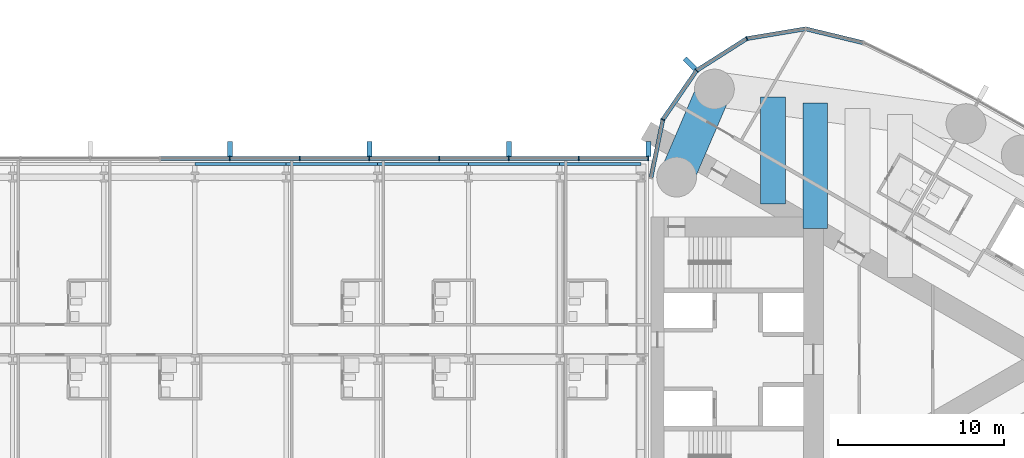
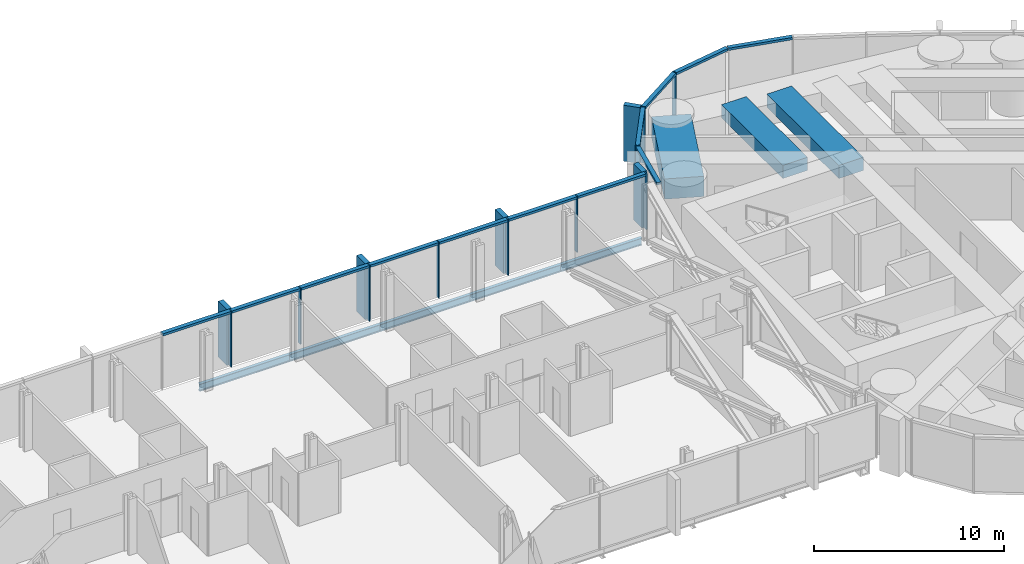
# One storey, part 10 of 22: 27 members, 8 beams, 2 elements without a shape of their own.
"""IFC4 building model written with IfcOpenShell, lengths in metres."""

import ifcopenshell
import ifcopenshell.guid

model = None  # the IFC model being written
_history = None  # IfcOwnerHistory: only IFC2X3 demands one
_inside = {}  # id of a spatial element -> (the spatial element, [elements in it])
_under = {}  # id of a project, library or spatial element -> (it, [spatial elements below it])
_declared = {}  # id of a project -> (the project, [libraries it declares])
_typed = {}  # id of a type object -> (the type object, [elements of that type])
_made_of = {}  # id of a material, layer set ... -> (it, [elements and type objects made of it])


def new_model(schema):
    """Start an empty IFC model of exactly this schema.

    Asked for "IFC4X3", IfcOpenShell would pick the latest addendum, in which some entities
    have other attributes; the version numbers below select the first issue.
    IFC2X3 requires an IfcOwnerHistory on every rooted entity: one is made here for all.
    """
    global model, _history
    if schema == "IFC4X3":
        model = ifcopenshell.file(schema_version=(4, 3, 0, 0))
    else:
        model = ifcopenshell.file(schema=schema)
    _inside.clear()
    _under.clear()
    _declared.clear()
    _typed.clear()
    _made_of.clear()
    _history = None
    if model.schema == "IFC2X3":
        org = make("IfcOrganization", Name="unknown")
        user = make(
            "IfcPersonAndOrganization",
            ThePerson=make("IfcPerson", FamilyName="unknown"),
            TheOrganization=org,
        )
        app = make(
            "IfcApplication",
            ApplicationDeveloper=org,
            Version="unknown",
            ApplicationFullName="unknown",
            ApplicationIdentifier="unknown",
        )
        _history = make(
            "IfcOwnerHistory",
            OwningUser=user,
            OwningApplication=app,
            ChangeAction="ADDED",
            CreationDate=0,
        )
    return model


def make(cls, **values):
    """One entity of the class cls with the attributes given. An attribute that is None is left unset."""
    return model.create_entity(
        cls, **{name: value for name, value in values.items() if value is not None}
    )


def rooted(cls, **values):
    """An entity with a GlobalId (a new one), such as an element, a storey or a relation."""
    return make(cls, GlobalId=ifcopenshell.guid.new(), OwnerHistory=_history, **values)


def si_unit(unit_type, name, prefix=None):
    """IfcSIUnit, for example si_unit("LENGTHUNIT", "METRE", prefix="MILLI")."""
    return make("IfcSIUnit", UnitType=unit_type, Prefix=prefix, Name=name)


def assignment(units):
    """IfcUnitAssignment: the units of a project."""
    return None if units is None else make("IfcUnitAssignment", Units=units)


def point(xyz):
    """IfcCartesianPoint."""
    return None if xyz is None else make("IfcCartesianPoint", Coordinates=xyz)


def direction(xyz):
    """IfcDirection."""
    return None if xyz is None else make("IfcDirection", DirectionRatios=xyz)


def frame(location, z_axis=None, x_axis=None):
    """IfcAxis2Placement3D, a coordinate frame: its origin and axes. An axis left out is left unset."""
    return make(
        "IfcAxis2Placement3D",
        Location=point(location),
        Axis=direction(z_axis),
        RefDirection=direction(x_axis),
    )


def frame_2d(location, x_axis=None):
    """IfcAxis2Placement2D, a coordinate frame in the plane: its origin and x axis."""
    return make(
        "IfcAxis2Placement2D", Location=point(location), RefDirection=direction(x_axis)
    )


def origin():
    """The frame at (0, 0, 0) with its axes left unset."""
    return frame((0.0, 0.0, 0.0))


def origin_2d():
    """The frame at (0, 0) in the plane with its x axis left unset."""
    return frame_2d((0.0, 0.0))


def place(relative_to, where):
    """IfcLocalPlacement: puts the frame where relative to a parent placement (None: the world)."""
    return make(
        "IfcLocalPlacement", PlacementRelTo=relative_to, RelativePlacement=where
    )


def context(
    kind, dimensions, precision=None, world=None, true_north=None, identifier=None
):
    """IfcGeometricRepresentationContext, for example the 3D "Model" context."""
    return make(
        "IfcGeometricRepresentationContext",
        ContextIdentifier=identifier,
        ContextType=kind,
        CoordinateSpaceDimension=dimensions,
        Precision=precision,
        WorldCoordinateSystem=world,
        TrueNorth=true_north,
    )


def subcontext(parent, identifier, kind, view, scale=None):
    """IfcGeometricRepresentationSubContext, for example "Body" below "Model"."""
    return make(
        "IfcGeometricRepresentationSubContext",
        ContextIdentifier=identifier,
        ContextType=kind,
        ParentContext=parent,
        TargetScale=scale,
        TargetView=view,
    )


def project(units=None, contexts=None):
    """IfcProject with its units and contexts."""
    return rooted(
        "IfcProject",
        Name="project",
        RepresentationContexts=contexts,
        UnitsInContext=assignment(units),
    )


def spatial(cls, under=None, at=None, **own):
    """A site, building, storey or space (cls), placed at a placement, below another one or the project."""
    s = rooted(cls, ObjectPlacement=at, **own)
    if under is not None:
        _under.setdefault(under.id(), (under, []))[1].append(s)
    return s


def profile(cls, at=None, kind="AREA", **sizes):
    """A parametric profile (cls). Its sizes go by their IFC names, for example OverallWidth=200.0."""
    return make(cls, ProfileType=kind, Position=at, **sizes)


def rectangle(**sizes):
    """IfcRectangleProfileDef."""
    return profile("IfcRectangleProfileDef", **sizes)


def i_section(**sizes):
    """IfcIShapeProfileDef."""
    return profile("IfcIShapeProfileDef", **sizes)


def extrude(swept, where, along, depth):
    """IfcExtrudedAreaSolid: the profile swept, set in the frame where, extruded along a direction by depth."""
    return make(
        "IfcExtrudedAreaSolid",
        SweptArea=swept,
        Position=where,
        ExtrudedDirection=direction(along),
        Depth=depth,
    )


def shape(context_of_items, identifier, shape_type, items):
    """IfcShapeRepresentation: the items that make up one representation, for example the "Body"."""
    return make(
        "IfcShapeRepresentation",
        ContextOfItems=context_of_items,
        RepresentationIdentifier=identifier,
        RepresentationType=shape_type,
        Items=items,
    )


def material(Name=None, Category=None):
    """IfcMaterial."""
    return make("IfcMaterial", Name=Name, Category=Category)


def material_profile(
    of_material, cross_section, Name=None, Category=None, Priority=None
):
    """IfcMaterialProfile: a cross section and its material."""
    return make(
        "IfcMaterialProfile",
        Name=Name,
        Material=of_material,
        Profile=cross_section,
        Priority=Priority,
        Category=Category,
    )


def profile_set(profiles, Name=None, composite=None):
    """IfcMaterialProfileSet."""
    return make(
        "IfcMaterialProfileSet",
        Name=Name,
        MaterialProfiles=profiles,
        CompositeProfile=composite,
    )


def made_of(thing, what):
    """Note that an element or type object is made of a material, layer set ...; save() writes the relation."""
    if what is not None:
        _made_of.setdefault(what.id(), (what, []))[1].append(thing)
    return thing


def type_object(cls, material=None, **own):
    """A type object (cls), such as IfcWallType, which elements share."""
    return made_of(rooted(cls, **own), material)


def element(
    cls,
    number,
    at=None,
    inside=None,
    cuts=None,
    type_object=None,
    material=None,
    context=None,
    identifier="Body",
    shape_type=None,
    held_by="IfcProductDefinitionShape",
    body=None,
    shapes=None,
    **own,
):
    """One element of the class cls, such as IfcWall. Its Tag is "e" and its number.

    at: its placement. inside: the storey or other place that contains it. cuts: it is an
    opening in that element (IfcRelVoidsElement). A single representation is given by context,
    identifier, shape_type and body (its items); several are given by shapes. held_by: the class
    of the entity that holds the representations. save() writes the other relations.
    """
    e = rooted(cls, Tag="e%d" % number, ObjectPlacement=at, **own)
    if body is not None:
        shapes = [shape(context, identifier, shape_type, body)]
    if shapes is not None:
        e.Representation = make(held_by, Representations=shapes)
    if inside is not None:
        _inside.setdefault(inside.id(), (inside, []))[1].append(e)
    if cuts is not None:
        rooted(
            "IfcRelVoidsElement", RelatingBuildingElement=cuts, RelatedOpeningElement=e
        )
    if type_object is not None:
        _typed.setdefault(type_object.id(), (type_object, []))[1].append(e)
    return made_of(e, material)


def aggregate(whole, parts):
    """IfcRelAggregates: a whole, such as a stair, and the parts it consists of."""
    return rooted("IfcRelAggregates", RelatingObject=whole, RelatedObjects=parts)


def save(model, path):
    """Write the relations noted so far, then the file.

    IfcRelAggregates (storeys below a building ...), IfcRelContainedInSpatialStructure (elements
    in a storey), IfcRelDefinesByType, IfcRelAssociatesMaterial and IfcRelDeclares: one each for
    every whole, place, type object, material and project.
    """
    for whole, parts in _under.values():
        aggregate(whole, parts)
    for where, things in _inside.values():
        rooted(
            "IfcRelContainedInSpatialStructure",
            RelatedElements=things,
            RelatingStructure=where,
        )
    for kind, things in _typed.values():
        rooted("IfcRelDefinesByType", RelatedObjects=things, RelatingType=kind)
    for what, things in _made_of.values():
        rooted("IfcRelAssociatesMaterial", RelatedObjects=things, RelatingMaterial=what)
    for by, libraries in _declared.values():
        rooted("IfcRelDeclares", RelatingContext=by, RelatedDefinitions=libraries)
    model.write(path)


model = new_model("IFC4")

# Units and contexts
model_context = context("Model", 3, precision=1e-05, world=origin(), true_north=direction((0.0, 1.0)))
body_context = subcontext(model_context, "Body", "Model", "MODEL_VIEW")
ifc_project = project(units=[si_unit("LENGTHUNIT", "METRE"), si_unit("AREAUNIT", "SQUARE_METRE"), si_unit("VOLUMEUNIT", "CUBIC_METRE"), si_unit("PLANEANGLEUNIT", "RADIAN"), si_unit("MASSUNIT", "GRAM", prefix="KILO")], contexts=[model_context])

# Site, building, storey
site_placement = place(None, origin())
site = spatial("IfcSite", under=ifc_project, at=site_placement, CompositionType="ELEMENT")
building_placement = place(site_placement, origin())
building = spatial("IfcBuilding", under=site, at=building_placement, Name="Lancet Gate Hotel", CompositionType="ELEMENT")
storey_placement = place(building_placement, frame((0.0, 0.0, 229.699951171875)))
storey = spatial("IfcBuildingStorey", under=building, at=storey_placement, Name="L61", CompositionType="ELEMENT", Elevation=229.699951171875)

# Curtain wall, members
ifc_material_1 = material(Name="Aluminium curtain wall", Category="aluminium")
curtain_wall_type_1 = type_object("IfcCurtainWallType", Name="Tower unitised curtain wall", PredefinedType="USERDEFINED", material=ifc_material_1)
curtain_wall_1_placement = place(storey_placement, origin())
curtain_wall_1 = element("IfcCurtainWall", 1, at=curtain_wall_1_placement, inside=storey, type_object=curtain_wall_type_1, Name="T2 L61 curtain wall 1", ObjectType="UNITISED CURTAIN WALL", PredefinedType="USERDEFINED")
ifc_material_2 = material(Name="Aluminium mullion", Category="aluminium")
ifc_material_profile_1 = material_profile(ifc_material_2, rectangle(XDim=0.06494140625, YDim=0.25, at=origin_2d()), Name="MULLION 65x250")
ifc_profile_set_1 = profile_set([ifc_material_profile_1], Name="Aluminium mullion")
member_type_1 = type_object("IfcMemberType", Name="Aluminium mullion 65x250", PredefinedType="MULLION", material=ifc_profile_set_1)
member_1_placement = place(storey_placement, frame((33.283203125, 19.353515625, 0.0), z_axis=(0.0, 0.0, 1.0), x_axis=(-0.93394321776, -0.357421412343, 0.0)))
member_1 = element("IfcMember", 2, at=member_1_placement, type_object=member_type_1, Name="T2 L61 curtain wall 1 mullion 24", PredefinedType="MULLION", context=body_context, shape_type="SweptSolid", body=[
    extrude(rectangle(XDim=0.06494140625, YDim=0.25, at=origin_2d()), origin(), (0.0, 0.0, 1.0), 3.60009765625),
])
member_2_placement = place(storey_placement, frame((30.25244140625, 17.42626953125, 0.0), z_axis=(0.0, 0.0, 1.0), x_axis=(-0.719809077627, -0.694172090886, 0.0)))
member_2 = element("IfcMember", 3, at=member_2_placement, type_object=member_type_1, Name="T2 L61 curtain wall 1 mullion 25", PredefinedType="MULLION", context=body_context, shape_type="SweptSolid", body=[
    extrude(rectangle(XDim=0.06494140625, YDim=0.25, at=origin_2d()), origin(), (0.0, 0.0, 1.0), 3.60009765625),
])
member_3_placement = place(storey_placement, frame((28.216552734375, 14.467529296875, 0.0), z_axis=(0.0, 0.0, 1.0), x_axis=(-0.391042139098, -0.920372775265, 0.0)))
member_3 = element("IfcMember", 4, at=member_3_placement, type_object=member_type_1, Name="T2 L61 curtain wall 1 mullion 26", PredefinedType="MULLION", context=body_context, shape_type="SweptSolid", body=[
    extrude(rectangle(XDim=0.06494140625, YDim=0.25, at=origin_2d()), origin(), (0.0, 0.0, 1.0), 3.60009765625),
])

ifc_material_3 = material(Name="Aluminium curtain wall", Category="aluminium")
curtain_wall_type_2 = type_object("IfcCurtainWallType", Name="Bridge block curtain wall", PredefinedType="USERDEFINED", material=ifc_material_3)
curtain_wall_2_placement = place(storey_placement, origin())
curtain_wall_2 = element("IfcCurtainWall", 5, at=curtain_wall_2_placement, inside=storey, type_object=curtain_wall_type_2, Name="Bridge block L61 curtain wall N", ObjectType="UNITISED CURTAIN WALL", PredefinedType="USERDEFINED")
member_4_placement = place(storey_placement, frame((27.35009765625, 12.1201171875, 0.0), z_axis=(0.0, 0.0, 1.0), x_axis=(-1.0, 0.0, 0.0)))
member_4 = element("IfcMember", 6, at=member_4_placement, type_object=member_type_1, Name="Bridge block L61 curtain wall N mullion 1", PredefinedType="MULLION", context=body_context, shape_type="SweptSolid", body=[
    extrude(rectangle(XDim=0.06494140625, YDim=0.25, at=origin_2d()), origin(), (0.0, 0.0, 1.0), 3.60009765625),
])
member_5_placement = place(storey_placement, frame((23.142333984375, 12.1201171875, 0.0), z_axis=(0.0, 0.0, 1.0), x_axis=(-1.0, 0.0, 0.0)))
member_5 = element("IfcMember", 7, at=member_5_placement, type_object=member_type_1, Name="Bridge block L61 curtain wall N mullion 2", PredefinedType="MULLION", context=body_context, shape_type="SweptSolid", body=[
    extrude(rectangle(XDim=0.06494140625, YDim=0.25, at=origin_2d()), origin(), (0.0, 0.0, 1.0), 3.60009765625),
])
member_6_placement = place(storey_placement, frame((18.9345703125, 12.1201171875, 0.0), z_axis=(0.0, 0.0, 1.0), x_axis=(-1.0, 0.0, 0.0)))
member_6 = element("IfcMember", 8, at=member_6_placement, type_object=member_type_1, Name="Bridge block L61 curtain wall N mullion 3", PredefinedType="MULLION", context=body_context, shape_type="SweptSolid", body=[
    extrude(rectangle(XDim=0.06494140625, YDim=0.25, at=origin_2d()), origin(), (0.0, 0.0, 1.0), 3.60009765625),
])
member_7_placement = place(storey_placement, frame((14.726806640625, 12.1201171875, 0.0), z_axis=(0.0, 0.0, 1.0), x_axis=(-1.0, 0.0, 0.0)))
member_7 = element("IfcMember", 9, at=member_7_placement, type_object=member_type_1, Name="Bridge block L61 curtain wall N mullion 4", PredefinedType="MULLION", context=body_context, shape_type="SweptSolid", body=[
    extrude(rectangle(XDim=0.06494140625, YDim=0.25, at=origin_2d()), origin(), (0.0, 0.0, 1.0), 3.60009765625),
])
member_8_placement = place(storey_placement, frame((10.519287109375, 12.1201171875, 0.0), z_axis=(0.0, 0.0, 1.0), x_axis=(-1.0, 0.0, 0.0)))
member_8 = element("IfcMember", 10, at=member_8_placement, type_object=member_type_1, Name="Bridge block L61 curtain wall N mullion 5", PredefinedType="MULLION", context=body_context, shape_type="SweptSolid", body=[
    extrude(rectangle(XDim=0.06494140625, YDim=0.25, at=origin_2d()), origin(), (0.0, 0.0, 1.0), 3.60009765625),
])
member_9_placement = place(storey_placement, frame((6.3115234375, 12.1201171875, 0.0), z_axis=(0.0, 0.0, 1.0), x_axis=(-1.0, 0.0, 0.0)))
member_9 = element("IfcMember", 11, at=member_9_placement, type_object=member_type_1, Name="Bridge block L61 curtain wall N mullion 6", PredefinedType="MULLION", context=body_context, shape_type="SweptSolid", body=[
    extrude(rectangle(XDim=0.06494140625, YDim=0.25, at=origin_2d()), origin(), (0.0, 0.0, 1.0), 3.60009765625),
])
member_10_placement = place(storey_placement, frame((2.103759765625, 12.1201171875, 0.0), z_axis=(0.0, 0.0, 1.0), x_axis=(-1.0, 0.0, 0.0)))
member_10 = element("IfcMember", 12, at=member_10_placement, type_object=member_type_1, Name="Bridge block L61 curtain wall N mullion 7", PredefinedType="MULLION", context=body_context, shape_type="SweptSolid", body=[
    extrude(rectangle(XDim=0.06494140625, YDim=0.25, at=origin_2d()), origin(), (0.0, 0.0, 1.0), 3.60009765625),
])

# Member
ifc_material_4 = material(Name="Aluminium transom", Category="aluminium")
ifc_material_profile_2 = material_profile(ifc_material_4, rectangle(XDim=0.25, YDim=0.14990234375, at=origin_2d()), Name="TRANSOM 250x150")
ifc_profile_set_2 = profile_set([ifc_material_profile_2], Name="Aluminium transom")
member_type_2 = type_object("IfcMemberType", Name="Aluminium transom 250x150", PredefinedType="USERDEFINED", material=ifc_profile_set_2)
member_11_placement = place(storey_placement, frame((40.28564453125, 19.10595703125, 3.525146484375), z_axis=(-0.972002653858, 0.234969872307, 0.0), x_axis=(-0.234969872307, -0.972002653858, 0.0)))
member_11 = element("IfcMember", 13, at=member_11_placement, type_object=member_type_2, Name="T2 L61 curtain wall 1 transom 22", ObjectType="TRANSOM", PredefinedType="USERDEFINED", context=body_context, shape_type="SweptSolid", body=[
    extrude(rectangle(XDim=0.25, YDim=0.14990234375, at=origin_2d()), origin(), (0.0, 0.0, 1.0), 3.5263671875),
])

member_12_placement = place(storey_placement, frame((36.794189453125, 19.936767578125, 3.525146484375), z_axis=(-0.986483584545, -0.163860115412, 0.0), x_axis=(0.163860115412, -0.986483584545, 0.0)))
member_12 = element("IfcMember", 14, at=member_12_placement, type_object=member_type_2, Name="T2 L61 curtain wall 1 transom 23", ObjectType="TRANSOM", PredefinedType="USERDEFINED", context=body_context, shape_type="SweptSolid", body=[
    extrude(rectangle(XDim=0.25, YDim=0.14990234375, at=origin_2d()), origin(), (0.0, 0.0, 1.0), 3.526611328125),
])

member_13_placement = place(storey_placement, frame((33.255859375, 19.336181640625, 3.525146484375), z_axis=(-0.84385811281, -0.536566384938, 0.0), x_axis=(0.536566384938, -0.84385811281, 0.0)))
member_13 = element("IfcMember", 15, at=member_13_placement, type_object=member_type_2, Name="T2 L61 curtain wall 1 transom 24", ObjectType="TRANSOM", PredefinedType="USERDEFINED", context=body_context, shape_type="SweptSolid", body=[
    extrude(rectangle(XDim=0.25, YDim=0.14990234375, at=origin_2d()), origin(), (0.0, 0.0, 1.0), 3.52685546875),
])

member_14_placement = place(storey_placement, frame((30.234130859375, 17.399658203125, 3.525146484375), z_axis=(-0.566813768052, -0.82384595183, 0.0), x_axis=(0.82384595183, -0.566813768052, 0.0)))
member_14 = element("IfcMember", 16, at=member_14_placement, type_object=member_type_2, Name="T2 L61 curtain wall 1 transom 25", ObjectType="TRANSOM", PredefinedType="USERDEFINED", context=body_context, shape_type="SweptSolid", body=[
    extrude(rectangle(XDim=0.25, YDim=0.14990234375, at=origin_2d()), origin(), (0.0, 0.0, 1.0), 3.52685546875),
])

member_15_placement = place(storey_placement, frame((28.210205078125, 14.435546875, 3.525146484375), z_axis=(-0.19952323725, -0.979893095086, 0.0), x_axis=(0.979893095086, -0.19952323725, 0.0)))
member_15 = element("IfcMember", 17, at=member_15_placement, type_object=member_type_2, Name="T2 L61 curtain wall 1 transom 26", ObjectType="TRANSOM", PredefinedType="USERDEFINED", context=body_context, shape_type="SweptSolid", body=[
    extrude(rectangle(XDim=0.25, YDim=0.14990234375, at=origin_2d()), origin(), (0.0, 0.0, 1.0), 3.5263671875),
])

member_16_placement = place(storey_placement, frame((27.3173828125, 12.1201171875, 3.525146484375), z_axis=(-1.0, 0.0, 0.0), x_axis=(0.0, -1.0, 0.0)))
member_16 = element("IfcMember", 18, at=member_16_placement, type_object=member_type_2, Name="Bridge block L61 curtain wall N transom 1", ObjectType="TRANSOM", PredefinedType="USERDEFINED", context=body_context, shape_type="SweptSolid", body=[
    extrude(rectangle(XDim=0.25, YDim=0.14990234375, at=origin_2d()), origin(), (0.0, 0.0, 1.0), 4.142578125),
])

member_17_placement = place(storey_placement, frame((23.10986328125, 12.1201171875, 3.525146484375), z_axis=(-1.0, 0.0, 0.0), x_axis=(0.0, -1.0, 0.0)))
member_17 = element("IfcMember", 19, at=member_17_placement, type_object=member_type_2, Name="Bridge block L61 curtain wall N transom 2", ObjectType="TRANSOM", PredefinedType="USERDEFINED", context=body_context, shape_type="SweptSolid", body=[
    extrude(rectangle(XDim=0.25, YDim=0.14990234375, at=origin_2d()), origin(), (0.0, 0.0, 1.0), 4.142822265625),
])

member_18_placement = place(storey_placement, frame((18.902099609375, 12.1201171875, 3.525146484375), z_axis=(-1.0, 0.0, 0.0), x_axis=(0.0, -1.0, 0.0)))
member_18 = element("IfcMember", 20, at=member_18_placement, type_object=member_type_2, Name="Bridge block L61 curtain wall N transom 3", ObjectType="TRANSOM", PredefinedType="USERDEFINED", context=body_context, shape_type="SweptSolid", body=[
    extrude(rectangle(XDim=0.25, YDim=0.14990234375, at=origin_2d()), origin(), (0.0, 0.0, 1.0), 4.142578125),
])

member_19_placement = place(storey_placement, frame((14.6943359375, 12.1201171875, 3.525146484375), z_axis=(-1.0, 0.0, 0.0), x_axis=(0.0, -1.0, 0.0)))
member_19 = element("IfcMember", 21, at=member_19_placement, type_object=member_type_2, Name="Bridge block L61 curtain wall N transom 4", ObjectType="TRANSOM", PredefinedType="USERDEFINED", context=body_context, shape_type="SweptSolid", body=[
    extrude(rectangle(XDim=0.25, YDim=0.14990234375, at=origin_2d()), origin(), (0.0, 0.0, 1.0), 4.142578125),
])

member_20_placement = place(storey_placement, frame((10.48681640625, 12.1201171875, 3.525146484375), z_axis=(-1.0, 0.0, 0.0), x_axis=(0.0, -1.0, 0.0)))
member_20 = element("IfcMember", 22, at=member_20_placement, type_object=member_type_2, Name="Bridge block L61 curtain wall N transom 5", ObjectType="TRANSOM", PredefinedType="USERDEFINED", context=body_context, shape_type="SweptSolid", body=[
    extrude(rectangle(XDim=0.25, YDim=0.14990234375, at=origin_2d()), origin(), (0.0, 0.0, 1.0), 4.142822265625),
])

member_21_placement = place(storey_placement, frame((6.279052734375, 12.1201171875, 3.525146484375), z_axis=(-1.0, 0.0, 0.0), x_axis=(0.0, -1.0, 0.0)))
member_21 = element("IfcMember", 23, at=member_21_placement, type_object=member_type_2, Name="Bridge block L61 curtain wall N transom 6", ObjectType="TRANSOM", PredefinedType="USERDEFINED", context=body_context, shape_type="SweptSolid", body=[
    extrude(rectangle(XDim=0.25, YDim=0.14990234375, at=origin_2d()), origin(), (0.0, 0.0, 1.0), 4.142822265625),
])

member_22_placement = place(storey_placement, frame((2.0712890625, 12.1201171875, 3.525146484375), z_axis=(-1.0, 0.0, 0.0), x_axis=(0.0, -1.0, 0.0)))
member_22 = element("IfcMember", 24, at=member_22_placement, type_object=member_type_2, Name="Bridge block L61 curtain wall N transom 7", ObjectType="TRANSOM", PredefinedType="USERDEFINED", context=body_context, shape_type="SweptSolid", body=[
    extrude(rectangle(XDim=0.25, YDim=0.14990234375, at=origin_2d()), origin(), (0.0, 0.0, 1.0), 4.142578125),
])

# Beams
ifc_material_5 = material(Name="Steel S355", Category="steel")
ifc_material_profile_3 = material_profile(ifc_material_5, i_section(OverallWidth=0.19140625, OverallDepth=0.4599609375, WebThickness=0.010009765625, FlangeThickness=0.01611328125, FilletRadius=0.01025390625, at=origin_2d()), Name="UKB 457x191x82")
ifc_profile_set_3 = profile_set([ifc_material_profile_3], Name="Steel S355")
beam_type_1 = type_object("IfcBeamType", Name="Block edge beam UKB 457x191x82", PredefinedType="SPANDREL", material=ifc_profile_set_3)
for number, where, z_axis, x_axis, name in (
    (25, (0.0, 11.800048828125, -0.429931640625), (1.0, 0.0, 0.0), (0.0, 1.0, 0.0), "Block edge beam N 5-6 L61"),
    (26, (5.5, 11.800048828125, -0.429931640625), (1.0, 0.0, 0.0), (0.0, 1.0, 0.0), "Block edge beam N 6-7 L61"),
    (27, (11.0, 11.800048828125, -0.429931640625), (1.0, 0.0, 0.0), (0.0, 1.0, 0.0), "Block edge beam N 7-8 L61"),
    (28, (16.5, 11.800048828125, -0.429931640625), (1.0, 0.0, 0.0), (0.0, 1.0, 0.0), "Block edge beam N 8-9 L61"),
):
    element("IfcBeam", number, at=place(storey_placement, frame(where, z_axis=z_axis, x_axis=x_axis)), inside=storey, type_object=beam_type_1, Name=name, PredefinedType="SPANDREL", context=body_context, shape_type="SweptSolid", body=[
        extrude(i_section(OverallWidth=0.19140625, OverallDepth=0.4599609375, WebThickness=0.010009765625, FlangeThickness=0.01611328125, FilletRadius=0.01025390625, at=origin_2d()), origin(), (0.0, 0.0, 1.0), 5.5),
    ])
beam_1_placement = place(storey_placement, frame((22.0, 11.800048828125, -0.429931640625), z_axis=(1.0, 0.0, 0.0), x_axis=(0.0, 1.0, 0.0)))
element("IfcBeam", 29, at=beam_1_placement, inside=storey, type_object=beam_type_1, Name="Block edge beam N 9-10 L61", PredefinedType="SPANDREL", context=body_context, shape_type="SweptSolid", body=[
    extrude(i_section(OverallWidth=0.19140625, OverallDepth=0.4599609375, WebThickness=0.010009765625, FlangeThickness=0.01611328125, FilletRadius=0.01025390625, at=origin_2d()), origin(), (0.0, 0.0, 1.0), 4.89990234375),
])
ifc_material_6 = material(Name="Concrete C50/60", Category="concrete")
ifc_material_profile_4 = material_profile(ifc_material_6, rectangle(XDim=2.10009765625, YDim=1.300048828125, at=origin_2d()), Name="RC 2100x1300")
ifc_profile_set_4 = profile_set([ifc_material_profile_4], Name="Concrete C50/60")
beam_type_2 = type_object("IfcBeamType", Name="Edge beam RC 2100x1300", PredefinedType="SPANDREL", material=ifc_profile_set_4)
beam_2_placement = place(storey_placement, frame((29.050048828125, 11.0, 2.699951171875), z_axis=(0.394250694824, 0.91900293233, 0.0), x_axis=(-0.91900293233, 0.394250694824, 0.0)))
element("IfcBeam", 30, at=beam_2_placement, inside=storey, type_object=beam_type_2, Name="T2 edge beam EB1 L61", PredefinedType="SPANDREL", context=body_context, shape_type="SweptSolid", body=[
    extrude(rectangle(XDim=2.10009765625, YDim=1.300048828125, at=origin_2d()), origin(), (0.0, 0.0, 1.0), 5.77880859375),
])

# Member
ifc_material_7 = material(Name="Precast concrete C50/60", Category="concrete")
ifc_material_profile_5 = material_profile(ifc_material_7, rectangle(XDim=0.300048828125, YDim=0.89990234375, at=origin_2d()), Name="FIN 300x900")
ifc_profile_set_5 = profile_set([ifc_material_profile_5], Name="Precast concrete C50/60")
member_type_3 = type_object("IfcMemberType", Name="Exposed concrete fin 300x900", PredefinedType="USERDEFINED", material=ifc_profile_set_5)
member_23_placement = place(storey_placement, frame((29.853271484375, 17.84033203125, 0.0), z_axis=(0.0, 0.0, 1.0), x_axis=(-0.719809077627, -0.694172090886, 0.0)))
member_23 = element("IfcMember", 31, at=member_23_placement, type_object=member_type_3, Name="T2 L61 curtain wall 1 fin 25", ObjectType="FIN", PredefinedType="USERDEFINED", context=body_context, shape_type="SweptSolid", body=[
    extrude(rectangle(XDim=0.300048828125, YDim=0.89990234375, at=origin_2d()), origin(), (0.0, 0.0, 1.0), 3.60009765625),
])

aggregate(curtain_wall_1, [member_1, member_2, member_23, member_3, member_11, member_12, member_13, member_14, member_15])

member_24_placement = place(storey_placement, frame((27.35009765625, 12.695068359375, 0.0), z_axis=(0.0, 0.0, 1.0), x_axis=(-1.0, 0.0, 0.0)))
member_24 = element("IfcMember", 32, at=member_24_placement, type_object=member_type_3, Name="Bridge block L61 curtain wall N fin 1", ObjectType="FIN", PredefinedType="USERDEFINED", context=body_context, shape_type="SweptSolid", body=[
    extrude(rectangle(XDim=0.300048828125, YDim=0.89990234375, at=origin_2d()), origin(), (0.0, 0.0, 1.0), 3.60009765625),
])

member_25_placement = place(storey_placement, frame((18.9345703125, 12.695068359375, 0.0), z_axis=(0.0, 0.0, 1.0), x_axis=(-1.0, 0.0, 0.0)))
member_25 = element("IfcMember", 33, at=member_25_placement, type_object=member_type_3, Name="Bridge block L61 curtain wall N fin 3", ObjectType="FIN", PredefinedType="USERDEFINED", context=body_context, shape_type="SweptSolid", body=[
    extrude(rectangle(XDim=0.300048828125, YDim=0.89990234375, at=origin_2d()), origin(), (0.0, 0.0, 1.0), 3.60009765625),
])

member_26_placement = place(storey_placement, frame((10.519287109375, 12.695068359375, 0.0), z_axis=(0.0, 0.0, 1.0), x_axis=(-1.0, 0.0, 0.0)))
member_26 = element("IfcMember", 34, at=member_26_placement, type_object=member_type_3, Name="Bridge block L61 curtain wall N fin 5", ObjectType="FIN", PredefinedType="USERDEFINED", context=body_context, shape_type="SweptSolid", body=[
    extrude(rectangle(XDim=0.300048828125, YDim=0.89990234375, at=origin_2d()), origin(), (0.0, 0.0, 1.0), 3.60009765625),
])

member_27_placement = place(storey_placement, frame((2.103759765625, 12.695068359375, 0.0), z_axis=(0.0, 0.0, 1.0), x_axis=(-1.0, 0.0, 0.0)))
member_27 = element("IfcMember", 35, at=member_27_placement, type_object=member_type_3, Name="Bridge block L61 curtain wall N fin 7", ObjectType="FIN", PredefinedType="USERDEFINED", context=body_context, shape_type="SweptSolid", body=[
    extrude(rectangle(XDim=0.300048828125, YDim=0.89990234375, at=origin_2d()), origin(), (0.0, 0.0, 1.0), 3.60009765625),
])

aggregate(curtain_wall_2, [member_4, member_24, member_5, member_6, member_25, member_7, member_8, member_26, member_9, member_10, member_27, member_16, member_17, member_18, member_19, member_20, member_21, member_22])

# Beams
ifc_material_8 = material(Name="Concrete C50/60", Category="concrete")
ifc_material_profile_6 = material_profile(ifc_material_8, rectangle(XDim=1.5, YDim=0.85009765625, at=origin_2d()), Name="RC 1500x850")
ifc_profile_set_6 = profile_set([ifc_material_profile_6], Name="Concrete C50/60")
beam_type_3 = type_object("IfcBeamType", Name="Floor beam RC 1500x850", PredefinedType="BEAM", material=ifc_profile_set_6)
beam_3_placement = place(storey_placement, frame((34.859619140625, 9.377685546875, 2.925048828125), z_axis=(0.0, 1.0, 0.0), x_axis=(-1.0, 0.0, 0.0)))
element("IfcBeam", 36, at=beam_3_placement, inside=storey, type_object=beam_type_3, Name="T2 floor beam F02N L61", PredefinedType="BEAM", context=body_context, shape_type="SweptSolid", body=[
    extrude(rectangle(XDim=1.5, YDim=0.85009765625, at=origin_2d()), origin(), (0.0, 0.0, 1.0), 6.44775390625),
])
beam_4_placement = place(storey_placement, frame((37.412841796875, 7.903564453125, 2.925048828125), z_axis=(0.0, 1.0, 0.0), x_axis=(-1.0, 0.0, 0.0)))
element("IfcBeam", 37, at=beam_4_placement, inside=storey, type_object=beam_type_3, Name="T2 floor beam F04N L61", PredefinedType="BEAM", context=body_context, shape_type="SweptSolid", body=[
    extrude(rectangle(XDim=1.5, YDim=0.85009765625, at=origin_2d()), origin(), (0.0, 0.0, 1.0), 7.57080078125),
])

save(model, "model.ifc")
